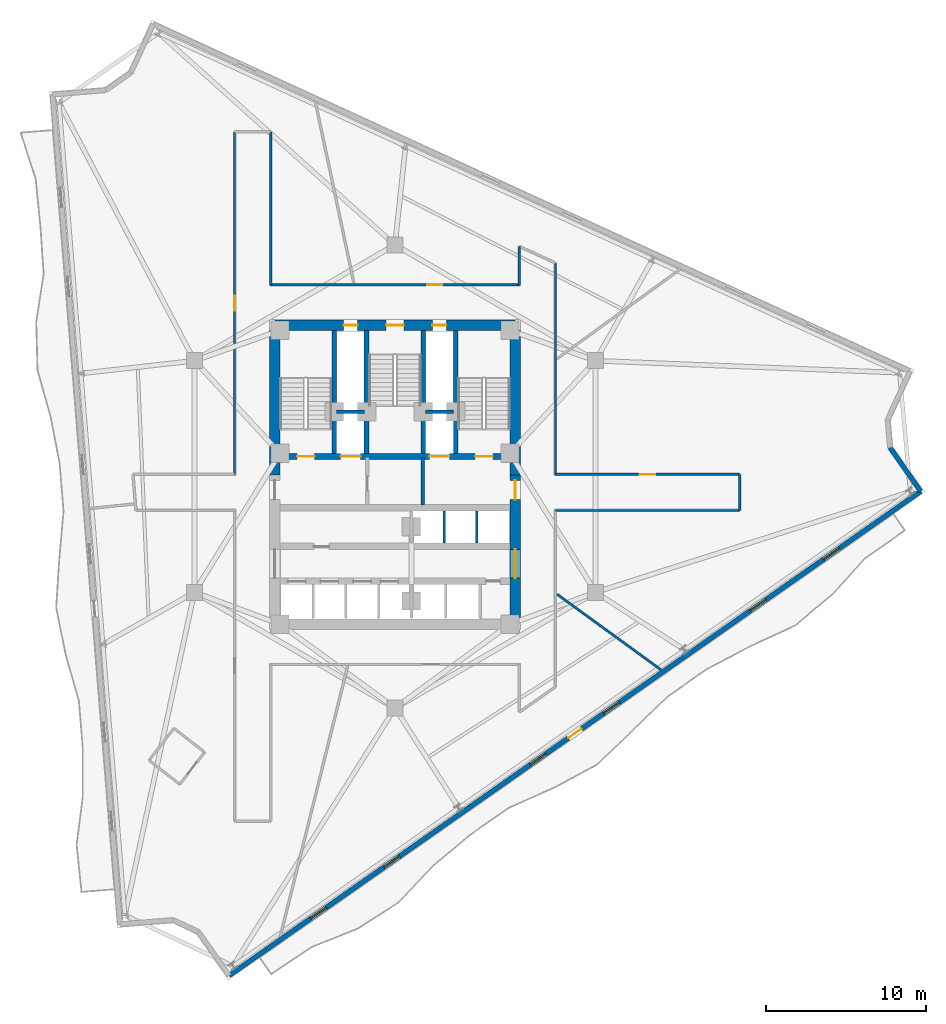
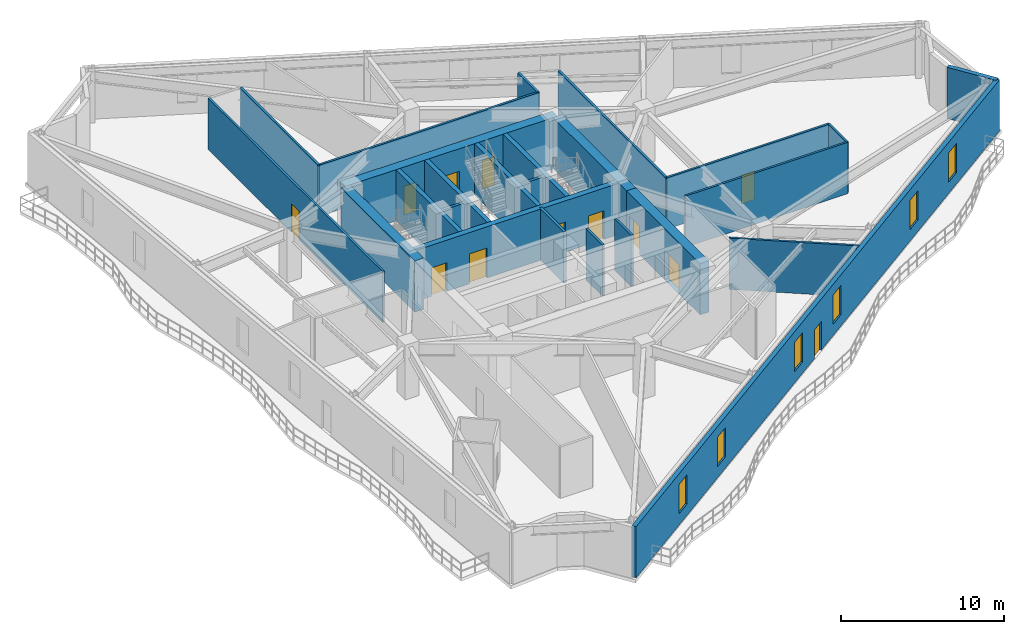
# One storey, part 6 of 10: 25 walls, 13 doors, 6 windows, 19 openings.
"""IFC4 building model written with IfcOpenShell, lengths in metres."""

from ifc_helpers import new_model, si_unit, direction, frame, frame_2d, origin, place, context, subcontext, project, spatial, rectangle, extrude, material, layer, layer_set, type_object, element, fill, save


model = new_model("IFC4")

# Units and contexts
model_context = context("Model", 3, precision=1e-05, world=origin(), true_north=direction((0.0, 1.0)))
body_context = subcontext(model_context, "Body", "Model", "MODEL_VIEW")
ifc_project = project(units=[si_unit("LENGTHUNIT", "METRE"), si_unit("AREAUNIT", "SQUARE_METRE"), si_unit("VOLUMEUNIT", "CUBIC_METRE"), si_unit("PLANEANGLEUNIT", "RADIAN"), si_unit("MASSUNIT", "GRAM", prefix="KILO")], contexts=[model_context])

# Site, building, storey
site_placement = place(None, origin())
site = spatial("IfcSite", under=ifc_project, at=site_placement, CompositionType="ELEMENT")
building_placement = place(site_placement, origin())
building = spatial("IfcBuilding", under=site, at=building_placement, Name="Apsidion Concourse Tower", CompositionType="ELEMENT")
storey_placement = place(building_placement, frame((0.0, 0.0, 218.800048828125)))
storey = spatial("IfcBuildingStorey", under=building, at=storey_placement, Name="L51", CompositionType="ELEMENT", Elevation=218.800048828125)

# Wall
ifc_material_1 = material(Name="Precast concrete C40/50", Category="concrete")
ifc_layer_1 = layer(ifc_material_1, 0.300048828125)
ifc_layer_set_1 = layer_set([ifc_layer_1], Name="Precast concrete C40/50")
wall_type_1 = type_object("IfcWallType", Name="WL-EXT-300", PredefinedType="STANDARD", material=ifc_layer_set_1)
wall_1_placement = place(storey_placement, frame((30.99951171875, 1.809814453125, 0.0), z_axis=(0.0, 0.0, 1.0), x_axis=(0.573550493689, -0.819170208925, 0.0)))
element("IfcWall", 1, at=wall_1_placement, inside=storey, type_object=wall_type_1, Name="L51 Precast Stone Facade Wall 04", PredefinedType="STANDARD", context=body_context, shape_type="SweptSolid", body=[
    extrude(rectangle(XDim=3.345703125, YDim=0.300048828125, at=frame_2d((1.6728515625, 0.0))), origin(), (0.0, 0.0, 1.0), 3.849853515625),
])

# Wall, openings, door, windows
wall_2_placement = place(storey_placement, frame((32.91845703125, -0.930908203125, 0.0), z_axis=(0.0, 0.0, 1.0), x_axis=(-0.819151415939, -0.573577333727, 0.0)))
wall_2 = element("IfcWall", 2, at=wall_2_placement, inside=storey, type_object=wall_type_1, Name="L51 Precast Stone Facade Wall 05", PredefinedType="STANDARD", context=body_context, shape_type="SweptSolid", body=[
    extrude(rectangle(XDim=52.862548828125, YDim=0.300048828125, at=frame_2d((26.43115234375, 0.0))), origin(), (0.0, 0.0, 1.0), 3.849853515625),
])
opening_1_placement = place(wall_2_placement, frame((25.931396484375, 0.0, 0.0)))
opening_1 = element("IfcOpeningElement", 3, at=opening_1_placement, cuts=wall_2, Name="Opening D-T1L", PredefinedType="OPENING", context=body_context, shape_type="SweptSolid", body=[
    extrude(rectangle(XDim=1.0, YDim=2.14990234375, at=frame_2d((0.5, 1.074951171875))), frame((0.0, 0.16015625, 0.0), z_axis=(0.0, -1.0, 0.0), x_axis=(1.0, 0.0, 0.0)), (0.0, 0.0, 1.0), 0.320068359375),
])
opening_2_placement = place(wall_2_placement, frame((6.231201171875, 0.0, 0.85009765625)))
opening_2 = element("IfcOpeningElement", 4, at=opening_2_placement, cuts=wall_2, Name="Opening WN-06", PredefinedType="OPENING", context=body_context, shape_type="SweptSolid", body=[
    extrude(rectangle(XDim=1.199951171875, YDim=2.199951171875, at=frame_2d((0.60009765625, 1.10009765625))), frame((0.0, 0.16015625, 0.0), z_axis=(0.0, -1.0, 0.0), x_axis=(1.0, 0.0, 0.0)), (0.0, 0.0, 1.0), 0.320068359375),
])
opening_3_placement = place(wall_2_placement, frame((11.831298828125, 0.0, 0.85009765625)))
opening_3 = element("IfcOpeningElement", 5, at=opening_3_placement, cuts=wall_2, Name="Opening WN-06", PredefinedType="OPENING", context=body_context, shape_type="SweptSolid", body=[
    extrude(rectangle(XDim=1.199951171875, YDim=2.199951171875, at=frame_2d((0.60009765625, 1.10009765625))), frame((0.0, 0.16015625, 0.0), z_axis=(0.0, -1.0, 0.0), x_axis=(1.0, 0.0, 0.0)), (0.0, 0.0, 1.0), 0.320068359375),
])
opening_4_placement = place(wall_2_placement, frame((23.03125, 0.0, 0.85009765625)))
opening_4 = element("IfcOpeningElement", 6, at=opening_4_placement, cuts=wall_2, Name="Opening WN-06", PredefinedType="OPENING", context=body_context, shape_type="SweptSolid", body=[
    extrude(rectangle(XDim=1.199951171875, YDim=2.199951171875, at=frame_2d((0.60009765625, 1.10009765625))), frame((0.0, 0.16015625, 0.0), z_axis=(0.0, -1.0, 0.0), x_axis=(1.0, 0.0, 0.0)), (0.0, 0.0, 1.0), 0.320068359375),
])
opening_5_placement = place(wall_2_placement, frame((28.63134765625, 0.0, 0.85009765625)))
opening_5 = element("IfcOpeningElement", 7, at=opening_5_placement, cuts=wall_2, Name="Opening WN-06", PredefinedType="OPENING", context=body_context, shape_type="SweptSolid", body=[
    extrude(rectangle(XDim=1.199951171875, YDim=2.199951171875, at=frame_2d((0.60009765625, 1.10009765625))), frame((0.0, 0.16015625, 0.0), z_axis=(0.0, -1.0, 0.0), x_axis=(1.0, 0.0, 0.0)), (0.0, 0.0, 1.0), 0.320068359375),
])
opening_6_placement = place(wall_2_placement, frame((39.831298828125, 0.0, 0.85009765625)))
opening_6 = element("IfcOpeningElement", 8, at=opening_6_placement, cuts=wall_2, Name="Opening WN-06", PredefinedType="OPENING", context=body_context, shape_type="SweptSolid", body=[
    extrude(rectangle(XDim=1.199951171875, YDim=2.199951171875, at=frame_2d((0.60009765625, 1.10009765625))), frame((0.0, 0.16015625, 0.0), z_axis=(0.0, -1.0, 0.0), x_axis=(1.0, 0.0, 0.0)), (0.0, 0.0, 1.0), 0.320068359375),
])
opening_7_placement = place(wall_2_placement, frame((45.431396484375, 0.0, 0.85009765625)))
opening_7 = element("IfcOpeningElement", 9, at=opening_7_placement, cuts=wall_2, Name="Opening WN-06", PredefinedType="OPENING", context=body_context, shape_type="SweptSolid", body=[
    extrude(rectangle(XDim=1.199951171875, YDim=2.199951171875, at=frame_2d((0.60009765625, 1.10009765625))), frame((0.0, 0.16015625, 0.0), z_axis=(0.0, -1.0, 0.0), x_axis=(1.0, 0.0, 0.0)), (0.0, 0.0, 1.0), 0.320068359375),
])
ifc_material_2 = material(Name="Anodised aluminium EN AW-6063 T6", Category="aluminium")
door_type_1 = type_object("IfcDoorType", Name="DR-TER-1022L", OperationType="SINGLE_SWING_LEFT", PredefinedType="DOOR", material=ifc_material_2)
door_1_placement = place(opening_1_placement, origin())
door_1 = element("IfcDoor", 10, at=door_1_placement, inside=storey, type_object=door_type_1, Name="L51 Balcony Access Door 2", OperationType="SINGLE_SWING_LEFT", OverallHeight=2.14990234375, OverallWidth=1.0, PredefinedType="DOOR", context=body_context, shape_type="SweptSolid", body=[
    extrude(rectangle(XDim=1.0, YDim=2.14990234375, at=frame_2d((0.5, 1.074951171875))), frame((0.0, 0.02490234375, 0.0), z_axis=(0.0, -1.0, 0.0), x_axis=(1.0, 0.0, 0.0)), (0.0, 0.0, 1.0), 0.050048828125),
])
fill(opening_1, door_1)
ifc_material_3 = material(Name="Insulated laminated low-E glass", Category="glass")
window_type = type_object("IfcWindowType", Name="WN-OFF-1224", PartitioningType="SINGLE_PANEL", PredefinedType="WINDOW", material=ifc_material_3)
window_1_placement = place(opening_2_placement, origin())
window_1 = element("IfcWindow", 11, at=window_1_placement, inside=storey, type_object=window_type, Name="L51 Punched Facade Window 5-01", OverallHeight=2.199951171875, OverallWidth=1.199951171875, PartitioningType="SINGLE_PANEL", PredefinedType="WINDOW", context=body_context, shape_type="SweptSolid", body=[
    extrude(rectangle(XDim=1.199951171875, YDim=2.199951171875, at=frame_2d((0.60009765625, 1.10009765625))), frame((0.0, 0.030029296875, 0.0), z_axis=(0.0, -1.0, 0.0), x_axis=(1.0, 0.0, 0.0)), (0.0, 0.0, 1.0), 0.06005859375),
])
fill(opening_2, window_1)
window_2_placement = place(opening_3_placement, origin())
window_2 = element("IfcWindow", 12, at=window_2_placement, inside=storey, type_object=window_type, Name="L51 Punched Facade Window 5-02", OverallHeight=2.199951171875, OverallWidth=1.199951171875, PartitioningType="SINGLE_PANEL", PredefinedType="WINDOW", context=body_context, shape_type="SweptSolid", body=[
    extrude(rectangle(XDim=1.199951171875, YDim=2.199951171875, at=frame_2d((0.60009765625, 1.10009765625))), frame((0.0, 0.030029296875, 0.0), z_axis=(0.0, -1.0, 0.0), x_axis=(1.0, 0.0, 0.0)), (0.0, 0.0, 1.0), 0.06005859375),
])
fill(opening_3, window_2)
window_3_placement = place(opening_4_placement, origin())
window_3 = element("IfcWindow", 13, at=window_3_placement, inside=storey, type_object=window_type, Name="L51 Punched Facade Window 5-04", OverallHeight=2.199951171875, OverallWidth=1.199951171875, PartitioningType="SINGLE_PANEL", PredefinedType="WINDOW", context=body_context, shape_type="SweptSolid", body=[
    extrude(rectangle(XDim=1.199951171875, YDim=2.199951171875, at=frame_2d((0.60009765625, 1.10009765625))), frame((0.0, 0.030029296875, 0.0), z_axis=(0.0, -1.0, 0.0), x_axis=(1.0, 0.0, 0.0)), (0.0, 0.0, 1.0), 0.06005859375),
])
fill(opening_4, window_3)
window_4_placement = place(opening_5_placement, origin())
window_4 = element("IfcWindow", 14, at=window_4_placement, inside=storey, type_object=window_type, Name="L51 Punched Facade Window 5-05", OverallHeight=2.199951171875, OverallWidth=1.199951171875, PartitioningType="SINGLE_PANEL", PredefinedType="WINDOW", context=body_context, shape_type="SweptSolid", body=[
    extrude(rectangle(XDim=1.199951171875, YDim=2.199951171875, at=frame_2d((0.60009765625, 1.10009765625))), frame((0.0, 0.030029296875, 0.0), z_axis=(0.0, -1.0, 0.0), x_axis=(1.0, 0.0, 0.0)), (0.0, 0.0, 1.0), 0.06005859375),
])
fill(opening_5, window_4)
window_5_placement = place(opening_6_placement, origin())
window_5 = element("IfcWindow", 15, at=window_5_placement, inside=storey, type_object=window_type, Name="L51 Punched Facade Window 5-07", OverallHeight=2.199951171875, OverallWidth=1.199951171875, PartitioningType="SINGLE_PANEL", PredefinedType="WINDOW", context=body_context, shape_type="SweptSolid", body=[
    extrude(rectangle(XDim=1.199951171875, YDim=2.199951171875, at=frame_2d((0.60009765625, 1.10009765625))), frame((0.0, 0.030029296875, 0.0), z_axis=(0.0, -1.0, 0.0), x_axis=(1.0, 0.0, 0.0)), (0.0, 0.0, 1.0), 0.06005859375),
])
fill(opening_6, window_5)
window_6_placement = place(opening_7_placement, origin())
window_6 = element("IfcWindow", 16, at=window_6_placement, inside=storey, type_object=window_type, Name="L51 Punched Facade Window 5-08", OverallHeight=2.199951171875, OverallWidth=1.199951171875, PartitioningType="SINGLE_PANEL", PredefinedType="WINDOW", context=body_context, shape_type="SweptSolid", body=[
    extrude(rectangle(XDim=1.199951171875, YDim=2.199951171875, at=frame_2d((0.60009765625, 1.10009765625))), frame((0.0, 0.030029296875, 0.0), z_axis=(0.0, -1.0, 0.0), x_axis=(1.0, 0.0, 0.0)), (0.0, 0.0, 1.0), 0.06005859375),
])
fill(opening_7, window_6)

# Walls
ifc_material_4 = material(Name="Gypsum plasterboard partition")
ifc_layer_2 = layer(ifc_material_4, 0.14990234375)
ifc_layer_set_2 = layer_set([ifc_layer_2], Name="Gypsum plasterboard partition")
wall_type_2 = type_object("IfcWallType", Name="WL-INT-PAR-150", PredefinedType="PARTITIONING", material=ifc_layer_set_2)
for number, where, z_axis, x_axis, name in (
    (17, (3.074951171875, -4.179931640625, 0.0), (0.0, 0.0, 1.0), (0.0, 1.0, 0.0), "L51 Interior Partition WL-L51-B3DIV-1"),
    (18, (5.125, -4.179931640625, 0.0), (0.0, 0.0, 1.0), (0.0, 1.0, 0.0), "L51 Interior Partition WL-L51-B3DIV-2"),
):
    element("IfcWall", number, at=place(storey_placement, frame(where, z_axis=z_axis, x_axis=x_axis)), inside=storey, type_object=wall_type_2, Name=name, PredefinedType="PARTITIONING", context=body_context, shape_type="SweptSolid", body=[
        extrude(rectangle(XDim=2.030029296875, YDim=0.14990234375, at=frame_2d((1.01513671875, 0.0))), origin(), (0.0, 0.0, 1.0), 3.849853515625),
    ])

# Wall, opening, door
wall_3_placement = place(storey_placement, frame((-10.050048828125, 0.1298828125, 0.0), z_axis=(0.0, 0.0, 1.0), x_axis=(0.0, 1.0, 0.0)))
wall_3 = element("IfcWall", 19, at=wall_3_placement, inside=storey, type_object=wall_type_2, Name="L51 Interior Partition WL-L51-CORR-10", PredefinedType="PARTITIONING", context=body_context, shape_type="SweptSolid", body=[
    extrude(rectangle(XDim=21.4501953125, YDim=0.14990234375, at=frame_2d((10.72509765625, 0.0))), origin(), (0.0, 0.0, 1.0), 3.849853515625),
])
opening_8_placement = place(wall_3_placement, frame((10.25, 0.0, 0.0)))
opening_8 = element("IfcOpeningElement", 20, at=opening_8_placement, cuts=wall_3, Name="Opening D-01L", PredefinedType="OPENING", context=body_context, shape_type="SweptSolid", body=[
    extrude(rectangle(XDim=0.949951171875, YDim=2.14990234375, at=frame_2d((0.47509765625, 1.074951171875))), frame((0.0, 0.0849609375, 0.0), z_axis=(0.0, -1.0, 0.0), x_axis=(1.0, 0.0, 0.0)), (0.0, 0.0, 1.0), 0.169921875),
])
ifc_material_5 = material(Name="Brushed stainless steel 316", Category="steel")
door_type_2 = type_object("IfcDoorType", Name="DR-INT-D01L", OperationType="SINGLE_SWING_LEFT", PredefinedType="DOOR", material=ifc_material_5)
door_2_placement = place(opening_8_placement, origin())
door_2 = element("IfcDoor", 21, at=door_2_placement, inside=storey, type_object=door_type_2, Name="L51 Corridor Entry Door 05", OperationType="SINGLE_SWING_LEFT", OverallHeight=2.14990234375, OverallWidth=0.949951171875, PredefinedType="DOOR", context=body_context, shape_type="SweptSolid", body=[
    extrude(rectangle(XDim=0.949951171875, YDim=2.14990234375, at=frame_2d((0.47509765625, 1.074951171875))), frame((0.0, 0.02490234375, 0.0), z_axis=(0.0, -1.0, 0.0), x_axis=(1.0, 0.0, 0.0)), (0.0, 0.0, 1.0), 0.050048828125),
])
fill(opening_8, door_2)

# Wall
wall_4_placement = place(storey_placement, frame((-7.7900390625, 21.580078125, 0.0), z_axis=(0.0, 0.0, 1.0), x_axis=(0.0, -1.0, 0.0)))
element("IfcWall", 22, at=wall_4_placement, inside=storey, type_object=wall_type_2, Name="L51 Interior Partition WL-L51-CORR-12", PredefinedType="PARTITIONING", context=body_context, shape_type="SweptSolid", body=[
    extrude(rectangle(XDim=9.580078125, YDim=0.14990234375, at=frame_2d((4.7900390625, 0.0))), origin(), (0.0, 0.0, 1.0), 3.849853515625),
])

# Wall, opening, door
wall_5_placement = place(storey_placement, frame((-7.7900390625, 12.0, 0.0), z_axis=(0.0, 0.0, 1.0), x_axis=(1.0, 0.0, 0.0)))
wall_5 = element("IfcWall", 23, at=wall_5_placement, inside=storey, type_object=wall_type_2, Name="L51 Interior Partition WL-L51-CORR-13", PredefinedType="PARTITIONING", context=body_context, shape_type="SweptSolid", body=[
    extrude(rectangle(XDim=15.580078125, YDim=0.14990234375, at=frame_2d((7.7900390625, 0.0))), origin(), (0.0, 0.0, 1.0), 3.849853515625),
])
opening_9_placement = place(wall_5_placement, frame((9.800048828125, 0.0, 0.0)))
opening_9 = element("IfcOpeningElement", 24, at=opening_9_placement, cuts=wall_5, Name="Opening D-01R", PredefinedType="OPENING", context=body_context, shape_type="SweptSolid", body=[
    extrude(rectangle(XDim=0.949951171875, YDim=2.14990234375, at=frame_2d((0.47509765625, 1.074951171875))), frame((0.0, 0.0849609375, 0.0), z_axis=(0.0, -1.0, 0.0), x_axis=(1.0, 0.0, 0.0)), (0.0, 0.0, 1.0), 0.169921875),
])
door_type_3 = type_object("IfcDoorType", Name="DR-INT-D01R", OperationType="SINGLE_SWING_RIGHT", PredefinedType="DOOR", material=ifc_material_5)
door_3_placement = place(opening_9_placement, origin())
door_3 = element("IfcDoor", 25, at=door_3_placement, inside=storey, type_object=door_type_3, Name="L51 Corridor Entry Door 04", OperationType="SINGLE_SWING_RIGHT", OverallHeight=2.14990234375, OverallWidth=0.949951171875, PredefinedType="DOOR", context=body_context, shape_type="SweptSolid", body=[
    extrude(rectangle(XDim=0.949951171875, YDim=2.14990234375, at=frame_2d((0.47509765625, 1.074951171875))), frame((0.0, 0.02490234375, 0.0), z_axis=(0.0, -1.0, 0.0), x_axis=(1.0, 0.0, 0.0)), (0.0, 0.0, 1.0), 0.050048828125),
])
fill(opening_9, door_3)

# Walls
wall_6_placement = place(storey_placement, frame((7.7900390625, 12.0, 0.0), z_axis=(0.0, 0.0, 1.0), x_axis=(0.0, 1.0, 0.0)))
element("IfcWall", 26, at=wall_6_placement, inside=storey, type_object=wall_type_2, Name="L51 Interior Partition WL-L51-CORR-14", PredefinedType="PARTITIONING", context=body_context, shape_type="SweptSolid", body=[
    extrude(rectangle(XDim=2.40771484375, YDim=0.14990234375, at=frame_2d((1.203857421875, 0.0))), origin(), (0.0, 0.0, 1.0), 3.849853515625),
])
wall_7_placement = place(storey_placement, frame((10.050048828125, 13.370849609375, 0.0), z_axis=(0.0, 0.0, 1.0), x_axis=(0.0, -1.0, 0.0)))
element("IfcWall", 27, at=wall_7_placement, inside=storey, type_object=wall_type_2, Name="L51 Interior Partition WL-L51-CORR-16", PredefinedType="PARTITIONING", context=body_context, shape_type="SweptSolid", body=[
    extrude(rectangle(XDim=13.240966796875, YDim=0.14990234375, at=frame_2d((6.62060546875, 0.0))), origin(), (0.0, 0.0, 1.0), 3.849853515625),
])

# Wall, opening, door
wall_8_placement = place(storey_placement, frame((10.050048828125, 0.1298828125, 0.0), z_axis=(0.0, 0.0, 1.0), x_axis=(1.0, 0.0, 0.0)))
wall_8 = element("IfcWall", 28, at=wall_8_placement, inside=storey, type_object=wall_type_2, Name="L51 Interior Partition WL-L51-CORR-17", PredefinedType="PARTITIONING", context=body_context, shape_type="SweptSolid", body=[
    extrude(rectangle(XDim=11.530029296875, YDim=0.14990234375, at=frame_2d((5.76513671875, 0.0))), origin(), (0.0, 0.0, 1.0), 3.849853515625),
])
opening_10_placement = place(wall_8_placement, frame((5.2900390625, 0.0, 0.0)))
opening_10 = element("IfcOpeningElement", 29, at=opening_10_placement, cuts=wall_8, Name="Opening D-01L", PredefinedType="OPENING", context=body_context, shape_type="SweptSolid", body=[
    extrude(rectangle(XDim=0.949951171875, YDim=2.14990234375, at=frame_2d((0.47509765625, 1.074951171875))), frame((0.0, 0.0849609375, 0.0), z_axis=(0.0, -1.0, 0.0), x_axis=(1.0, 0.0, 0.0)), (0.0, 0.0, 1.0), 0.169921875),
])
door_4_placement = place(opening_10_placement, origin())
door_4 = element("IfcDoor", 30, at=door_4_placement, inside=storey, type_object=door_type_2, Name="L51 Corridor Entry Door 03", OperationType="SINGLE_SWING_LEFT", OverallHeight=2.14990234375, OverallWidth=0.949951171875, PredefinedType="DOOR", context=body_context, shape_type="SweptSolid", body=[
    extrude(rectangle(XDim=0.949951171875, YDim=2.14990234375, at=frame_2d((0.47509765625, 1.074951171875))), frame((0.0, 0.02490234375, 0.0), z_axis=(0.0, -1.0, 0.0), x_axis=(1.0, 0.0, 0.0)), (0.0, 0.0, 1.0), 0.050048828125),
])
fill(opening_10, door_4)

# Walls
wall_9_placement = place(storey_placement, frame((21.580078125, 0.1298828125, 0.0), z_axis=(0.0, 0.0, 1.0), x_axis=(0.0, -1.0, 0.0)))
element("IfcWall", 31, at=wall_9_placement, inside=storey, type_object=wall_type_2, Name="L51 Interior Partition WL-L51-CORR-18", PredefinedType="PARTITIONING", context=body_context, shape_type="SweptSolid", body=[
    extrude(rectangle(XDim=2.259765625, YDim=0.14990234375, at=frame_2d((1.1298828125, 0.0))), origin(), (0.0, 0.0, 1.0), 3.849853515625),
])
wall_10_placement = place(storey_placement, frame((21.580078125, -2.1298828125, 0.0), z_axis=(0.0, 0.0, 1.0), x_axis=(-1.0, 0.0, 0.0)))
element("IfcWall", 32, at=wall_10_placement, inside=storey, type_object=wall_type_2, Name="L51 Interior Partition WL-L51-CORR-19", PredefinedType="PARTITIONING", context=body_context, shape_type="SweptSolid", body=[
    extrude(rectangle(XDim=11.530029296875, YDim=0.14990234375, at=frame_2d((5.76513671875, 0.0))), origin(), (0.0, 0.0, 1.0), 3.849853515625),
])
wall_11_placement = place(storey_placement, frame((10.155029296875, -7.3779296875, 0.0), z_axis=(0.0, 0.0, 1.0), x_axis=(0.809021931729, -0.587778456548, 0.0)))
element("IfcWall", 33, at=wall_11_placement, inside=storey, type_object=wall_type_2, Name="L51 Interior Partition WL-L51-RAD-05-1", PredefinedType="PARTITIONING", context=body_context, shape_type="SweptSolid", body=[
    extrude(rectangle(XDim=8.048828125, YDim=0.14990234375, at=frame_2d((4.0244140625, 0.0))), origin(), (0.0, 0.0, 1.0), 3.849853515625),
])
ifc_layer_3 = layer(ifc_material_4, 0.199951171875)
ifc_layer_set_3 = layer_set([ifc_layer_3], Name="Gypsum plasterboard partition")
wall_type_3 = type_object("IfcWallType", Name="WL-INT-PAR-200", PredefinedType="PARTITIONING", material=ifc_layer_set_3)
for number, where, z_axis, x_axis, name in (
    (34, (-3.64990234375, 4.050048828125, 0.0), (0.0, 0.0, 1.0), (1.0, 0.0, 0.0), "L51 Interior Partition WL-L51-FF1-N"),
    (35, (1.919921875, 4.050048828125, 0.0), (0.0, 0.0, 1.0), (1.0, 0.0, 0.0), "L51 Interior Partition WL-L51-FF2-N"),
):
    element("IfcWall", number, at=place(storey_placement, frame(where, z_axis=z_axis, x_axis=x_axis)), inside=storey, type_object=wall_type_3, Name=name, PredefinedType="PARTITIONING", context=body_context, shape_type="SweptSolid", body=[
        extrude(rectangle(XDim=1.72998046875, YDim=0.199951171875, at=frame_2d((0.864990234375, 0.0))), origin(), (0.0, 0.0, 1.0), 3.849853515625),
    ])
wall_12_placement = place(storey_placement, frame((1.739990234375, -1.780029296875, 0.0), z_axis=(0.0, 0.0, 1.0), x_axis=(0.0, 1.0, 0.0)))
element("IfcWall", 36, at=wall_12_placement, inside=storey, type_object=wall_type_3, Name="L51 Interior Partition WL-L51-FF2-W", PredefinedType="PARTITIONING", context=body_context, shape_type="SweptSolid", body=[
    extrude(rectangle(XDim=2.97998046875, YDim=0.199951171875, at=frame_2d((1.489990234375, 0.0))), origin(), (0.0, 0.0, 1.0), 3.849853515625),
])
ifc_material_6 = material(Name="Concrete C50/60", Category="concrete")
ifc_layer_4 = layer(ifc_material_6, 0.300048828125)
ifc_layer_set_4 = layer_set([ifc_layer_4], Name="Concrete C50/60")
wall_type_4 = type_object("IfcWallType", Name="WL-SH-300", PredefinedType="SHEAR", material=ifc_layer_set_4)
for number, where, z_axis, x_axis, name in (
    (37, (-3.800048828125, 1.449951171875, 0.0), (0.0, 0.0, 1.0), (0.0, 1.0, 0.0), "L51 Central Core Shear Wall V1"),
    (38, (-1.77490234375, 1.449951171875, 0.0), (0.0, 0.0, 1.0), (0.0, 1.0, 0.0), "L51 Central Core Shear Wall V2"),
    (39, (1.77490234375, 1.449951171875, 0.0), (0.0, 0.0, 1.0), (0.0, 1.0, 0.0), "L51 Central Core Shear Wall V3"),
    (40, (3.800048828125, 1.449951171875, 0.0), (0.0, 0.0, 1.0), (0.0, 1.0, 0.0), "L51 Central Core Shear Wall V4"),
):
    element("IfcWall", number, at=place(storey_placement, frame(where, z_axis=z_axis, x_axis=x_axis)), inside=storey, type_object=wall_type_4, Name=name, PredefinedType="SHEAR", context=body_context, shape_type="SweptSolid", body=[
        extrude(rectangle(XDim=7.699951171875, YDim=0.300048828125, at=frame_2d((3.85009765625, 0.0))), origin(), (0.0, 0.0, 1.0), 3.849853515625),
    ])

# Wall, openings, doors
ifc_layer_5 = layer(ifc_material_6, 0.39990234375)
ifc_layer_set_5 = layer_set([ifc_layer_5], Name="Concrete C50/60")
wall_type_5 = type_object("IfcWallType", Name="WL-SH-400", PredefinedType="SHEAR", material=ifc_layer_set_5)
wall_13_placement = place(storey_placement, frame((-7.199951171875, 1.25, 0.0), z_axis=(0.0, 0.0, 1.0), x_axis=(1.0, 0.0, 0.0)))
wall_13 = element("IfcWall", 41, at=wall_13_placement, inside=storey, type_object=wall_type_5, Name="L51 Central Core Shear Wall M1", PredefinedType="SHEAR", context=body_context, shape_type="SweptSolid", body=[
    extrude(rectangle(XDim=14.39990234375, YDim=0.39990234375, at=frame_2d((7.199951171875, 0.0))), origin(), (0.0, 0.0, 1.0), 3.849853515625),
])
opening_11_placement = place(wall_13_placement, frame((3.794921875, 0.0, 0.0)))
opening_11 = element("IfcOpeningElement", 42, at=opening_11_placement, cuts=wall_13, Name="Opening LD-FF", PredefinedType="OPENING", context=body_context, shape_type="SweptSolid", body=[
    extrude(rectangle(XDim=1.25, YDim=2.25, at=frame_2d((0.625, 1.125))), frame((0.0, 0.2099609375, 0.0), z_axis=(0.0, -1.0, 0.0), x_axis=(1.0, 0.0, 0.0)), (0.0, 0.0, 1.0), 0.419921875),
])
opening_12_placement = place(wall_13_placement, frame((9.35498046875, 0.0, 0.0)))
opening_12 = element("IfcOpeningElement", 43, at=opening_12_placement, cuts=wall_13, Name="Opening LD-FF", PredefinedType="OPENING", context=body_context, shape_type="SweptSolid", body=[
    extrude(rectangle(XDim=1.25, YDim=2.25, at=frame_2d((0.625, 1.125))), frame((0.0, 0.2099609375, 0.0), z_axis=(0.0, -1.0, 0.0), x_axis=(1.0, 0.0, 0.0)), (0.0, 0.0, 1.0), 0.419921875),
])
opening_13_placement = place(wall_13_placement, frame((1.074951171875, 0.0, 0.0)))
opening_13 = element("IfcOpeningElement", 44, at=opening_13_placement, cuts=wall_13, Name="Opening D-STL", PredefinedType="OPENING", context=body_context, shape_type="SweptSolid", body=[
    extrude(rectangle(XDim=1.10009765625, YDim=2.14990234375, at=frame_2d((0.550048828125, 1.074951171875))), frame((0.0, 0.2099609375, 0.0), z_axis=(0.0, -1.0, 0.0), x_axis=(1.0, 0.0, 0.0)), (0.0, 0.0, 1.0), 0.419921875),
])
opening_14_placement = place(wall_13_placement, frame((12.22509765625, 0.0, 0.0)))
opening_14 = element("IfcOpeningElement", 45, at=opening_14_placement, cuts=wall_13, Name="Opening D-STR", PredefinedType="OPENING", context=body_context, shape_type="SweptSolid", body=[
    extrude(rectangle(XDim=1.10009765625, YDim=2.14990234375, at=frame_2d((0.550048828125, 1.074951171875))), frame((0.0, 0.2099609375, 0.0), z_axis=(0.0, -1.0, 0.0), x_axis=(1.0, 0.0, 0.0)), (0.0, 0.0, 1.0), 0.419921875),
])
door_type_4 = type_object("IfcDoorType", Name="DR-INT-ST1L", OperationType="SINGLE_SWING_LEFT", PredefinedType="DOOR", material=ifc_material_5)
door_5_placement = place(opening_13_placement, origin())
door_5 = element("IfcDoor", 46, at=door_5_placement, inside=storey, type_object=door_type_4, Name="L51 Core Exit Stair ST1 Door", OperationType="SINGLE_SWING_LEFT", OverallHeight=2.14990234375, OverallWidth=1.10009765625, PredefinedType="DOOR", context=body_context, shape_type="SweptSolid", body=[
    extrude(rectangle(XDim=1.10009765625, YDim=2.14990234375, at=frame_2d((0.550048828125, 1.074951171875))), frame((0.0, 0.02490234375, 0.0), z_axis=(0.0, -1.0, 0.0), x_axis=(1.0, 0.0, 0.0)), (0.0, 0.0, 1.0), 0.050048828125),
])
fill(opening_13, door_5)
door_type_5 = type_object("IfcDoorType", Name="DR-INT-ST1R", OperationType="SINGLE_SWING_RIGHT", PredefinedType="DOOR", material=ifc_material_5)
door_6_placement = place(opening_14_placement, origin())
door_6 = element("IfcDoor", 47, at=door_6_placement, inside=storey, type_object=door_type_5, Name="L51 Core Exit Stair ST2 Door", OperationType="SINGLE_SWING_RIGHT", OverallHeight=2.14990234375, OverallWidth=1.10009765625, PredefinedType="DOOR", context=body_context, shape_type="SweptSolid", body=[
    extrude(rectangle(XDim=1.10009765625, YDim=2.14990234375, at=frame_2d((0.550048828125, 1.074951171875))), frame((0.0, 0.02490234375, 0.0), z_axis=(0.0, -1.0, 0.0), x_axis=(1.0, 0.0, 0.0)), (0.0, 0.0, 1.0), 0.050048828125),
])
fill(opening_14, door_6)
door_type_6 = type_object("IfcDoorType", Name="DR-LD-FSAE", OperationType="DOUBLE_DOOR_SLIDING", PredefinedType="DOOR", material=ifc_material_5)
door_7_placement = place(opening_11_placement, origin())
door_7 = element("IfcDoor", 48, at=door_7_placement, inside=storey, type_object=door_type_6, Name="L51 Lift Landing Door FF1", OperationType="DOUBLE_DOOR_SLIDING", OverallHeight=2.25, OverallWidth=1.25, PredefinedType="DOOR", context=body_context, shape_type="SweptSolid", body=[
    extrude(rectangle(XDim=1.25, YDim=2.25, at=frame_2d((0.625, 1.125))), frame((0.0, 0.02490234375, 0.0), z_axis=(0.0, -1.0, 0.0), x_axis=(1.0, 0.0, 0.0)), (0.0, 0.0, 1.0), 0.050048828125),
])
fill(opening_11, door_7)
door_8_placement = place(opening_12_placement, origin())
door_8 = element("IfcDoor", 49, at=door_8_placement, inside=storey, type_object=door_type_6, Name="L51 Lift Landing Door FF2", OperationType="DOUBLE_DOOR_SLIDING", OverallHeight=2.25, OverallWidth=1.25, PredefinedType="DOOR", context=body_context, shape_type="SweptSolid", body=[
    extrude(rectangle(XDim=1.25, YDim=2.25, at=frame_2d((0.625, 1.125))), frame((0.0, 0.02490234375, 0.0), z_axis=(0.0, -1.0, 0.0), x_axis=(1.0, 0.0, 0.0)), (0.0, 0.0, 1.0), 0.050048828125),
])
fill(opening_12, door_8)

ifc_layer_6 = layer(ifc_material_6, 0.64990234375)
ifc_layer_set_6 = layer_set([ifc_layer_6], Name="Concrete C50/60")
wall_type_6 = type_object("IfcWallType", Name="WL-SH-650", PredefinedType="SHEAR", material=ifc_layer_set_6)
wall_14_placement = place(storey_placement, frame((-7.52490234375, 9.47509765625, 0.0), z_axis=(0.0, 0.0, 1.0), x_axis=(1.0, 0.0, 0.0)))
wall_14 = element("IfcWall", 50, at=wall_14_placement, inside=storey, type_object=wall_type_6, Name="L51 Central Core Shear Wall N", PredefinedType="SHEAR", context=body_context, shape_type="SweptSolid", body=[
    extrude(rectangle(XDim=15.0498046875, YDim=0.64990234375, at=frame_2d((7.52490234375, 0.0))), origin(), (0.0, 0.0, 1.0), 3.849853515625),
])
opening_15_placement = place(wall_14_placement, frame((6.97509765625, 0.0, 0.0)))
opening_15 = element("IfcOpeningElement", 51, at=opening_15_placement, cuts=wall_14, Name="Opening D-STL", PredefinedType="OPENING", context=body_context, shape_type="SweptSolid", body=[
    extrude(rectangle(XDim=1.10009765625, YDim=2.14990234375, at=frame_2d((0.550048828125, 1.074951171875))), frame((0.0, 0.3349609375, 0.0), z_axis=(0.0, -1.0, 0.0), x_axis=(1.0, 0.0, 0.0)), (0.0, 0.0, 1.0), 0.669921875),
])
opening_16_placement = place(wall_14_placement, frame((4.304931640625, 0.0, 0.0)))
opening_16 = element("IfcOpeningElement", 52, at=opening_16_placement, cuts=wall_14, Name="Opening D-05L", PredefinedType="OPENING", context=body_context, shape_type="SweptSolid", body=[
    extrude(rectangle(XDim=0.8798828125, YDim=2.14990234375, at=frame_2d((0.43994140625, 1.074951171875))), frame((0.0, 0.3349609375, 0.0), z_axis=(0.0, -1.0, 0.0), x_axis=(1.0, 0.0, 0.0)), (0.0, 0.0, 1.0), 0.669921875),
])
opening_17_placement = place(wall_14_placement, frame((9.864990234375, 0.0, 0.0)))
opening_17 = element("IfcOpeningElement", 53, at=opening_17_placement, cuts=wall_14, Name="Opening D-05R", PredefinedType="OPENING", context=body_context, shape_type="SweptSolid", body=[
    extrude(rectangle(XDim=0.8798828125, YDim=2.14990234375, at=frame_2d((0.43994140625, 1.074951171875))), frame((0.0, 0.3349609375, 0.0), z_axis=(0.0, -1.0, 0.0), x_axis=(1.0, 0.0, 0.0)), (0.0, 0.0, 1.0), 0.669921875),
])
door_type_7 = type_object("IfcDoorType", Name="DR-INT-D05L", OperationType="SINGLE_SWING_LEFT", PredefinedType="DOOR", material=ifc_material_5)
door_9_placement = place(opening_16_placement, origin())
door_9 = element("IfcDoor", 54, at=door_9_placement, inside=storey, type_object=door_type_7, Name="L51 Electrical Riser Shaft Access Door", OperationType="SINGLE_SWING_LEFT", OverallHeight=2.14990234375, OverallWidth=0.8798828125, PredefinedType="DOOR", context=body_context, shape_type="SweptSolid", body=[
    extrude(rectangle(XDim=0.8798828125, YDim=2.14990234375, at=frame_2d((0.43994140625, 1.074951171875))), frame((0.0, 0.02490234375, 0.0), z_axis=(0.0, -1.0, 0.0), x_axis=(1.0, 0.0, 0.0)), (0.0, 0.0, 1.0), 0.050048828125),
])
fill(opening_16, door_9)
door_type_8 = type_object("IfcDoorType", Name="DR-INT-D05R", OperationType="SINGLE_SWING_RIGHT", PredefinedType="DOOR", material=ifc_material_5)
door_10_placement = place(opening_17_placement, origin())
door_10 = element("IfcDoor", 55, at=door_10_placement, inside=storey, type_object=door_type_8, Name="L51 Mechanical Riser Shaft Access Door", OperationType="SINGLE_SWING_RIGHT", OverallHeight=2.14990234375, OverallWidth=0.8798828125, PredefinedType="DOOR", context=body_context, shape_type="SweptSolid", body=[
    extrude(rectangle(XDim=0.8798828125, YDim=2.14990234375, at=frame_2d((0.43994140625, 1.074951171875))), frame((0.0, 0.02490234375, 0.0), z_axis=(0.0, -1.0, 0.0), x_axis=(1.0, 0.0, 0.0)), (0.0, 0.0, 1.0), 0.050048828125),
])
fill(opening_17, door_10)
door_11_placement = place(opening_15_placement, origin())
door_11 = element("IfcDoor", 56, at=door_11_placement, inside=storey, type_object=door_type_4, Name="L51 Core Exit Stair ST3 Door", OperationType="SINGLE_SWING_LEFT", OverallHeight=2.14990234375, OverallWidth=1.10009765625, PredefinedType="DOOR", context=body_context, shape_type="SweptSolid", body=[
    extrude(rectangle(XDim=1.10009765625, YDim=2.14990234375, at=frame_2d((0.550048828125, 1.074951171875))), frame((0.0, 0.02490234375, 0.0), z_axis=(0.0, -1.0, 0.0), x_axis=(1.0, 0.0, 0.0)), (0.0, 0.0, 1.0), 0.050048828125),
])
fill(opening_15, door_11)

# Walls
for number, where, z_axis, x_axis, name in (
    (57, (-7.52490234375, 0.10009765625, 0.0), (0.0, 0.0, 1.0), (0.0, 1.0, 0.0), "L51 Central Core Shear Wall WN"),
    (58, (7.52490234375, 0.10009765625, 0.0), (0.0, 0.0, 1.0), (0.0, 1.0, 0.0), "L51 Central Core Shear Wall EN"),
):
    element("IfcWall", number, at=place(storey_placement, frame(where, z_axis=z_axis, x_axis=x_axis)), inside=storey, type_object=wall_type_6, Name=name, PredefinedType="SHEAR", context=body_context, shape_type="SweptSolid", body=[
        extrude(rectangle(XDim=9.0498046875, YDim=0.64990234375, at=frame_2d((4.52490234375, 0.0))), origin(), (0.0, 0.0, 1.0), 3.849853515625),
    ])

# Wall, openings, doors
wall_15_placement = place(storey_placement, frame((7.52490234375, -8.925048828125, 0.0), z_axis=(0.0, 0.0, 1.0), x_axis=(0.0, 1.0, 0.0)))
wall_15 = element("IfcWall", 59, at=wall_15_placement, inside=storey, type_object=wall_type_6, Name="L51 Central Core Shear Wall ES", PredefinedType="SHEAR", context=body_context, shape_type="SweptSolid", body=[
    extrude(rectangle(XDim=9.025146484375, YDim=0.64990234375, at=frame_2d((4.5126953125, 0.0))), origin(), (0.0, 0.0, 1.0), 3.849853515625),
])
opening_18_placement = place(wall_15_placement, frame((2.56494140625, 0.0, 0.0)))
opening_18 = element("IfcOpeningElement", 60, at=opening_18_placement, cuts=wall_15, Name="Opening D-06D", PredefinedType="OPENING", context=body_context, shape_type="SweptSolid", body=[
    extrude(rectangle(XDim=1.800048828125, YDim=2.199951171875, at=frame_2d((0.89990234375, 1.10009765625))), frame((0.0, 0.3349609375, 0.0), z_axis=(0.0, -1.0, 0.0), x_axis=(1.0, 0.0, 0.0)), (0.0, 0.0, 1.0), 0.669921875),
])
opening_19_placement = place(wall_15_placement, frame((7.47509765625, 0.0, 0.0)))
opening_19 = element("IfcOpeningElement", 61, at=opening_19_placement, cuts=wall_15, Name="Opening D-FFR", PredefinedType="OPENING", context=body_context, shape_type="SweptSolid", body=[
    extrude(rectangle(XDim=1.199951171875, YDim=2.14990234375, at=frame_2d((0.60009765625, 1.074951171875))), frame((0.0, 0.3349609375, 0.0), z_axis=(0.0, -1.0, 0.0), x_axis=(1.0, 0.0, 0.0)), (0.0, 0.0, 1.0), 0.669921875),
])
door_type_9 = type_object("IfcDoorType", Name="DR-INT-D06D", OperationType="DOUBLE_DOOR_SINGLE_SWING", PredefinedType="DOOR", material=ifc_material_5)
door_12_placement = place(opening_18_placement, origin())
door_12 = element("IfcDoor", 62, at=door_12_placement, inside=storey, type_object=door_type_9, Name="L51 Passenger Lift Lobby ES Portal Door", OperationType="DOUBLE_DOOR_SINGLE_SWING", OverallHeight=2.199951171875, OverallWidth=1.800048828125, PredefinedType="DOOR", context=body_context, shape_type="SweptSolid", body=[
    extrude(rectangle(XDim=1.800048828125, YDim=2.199951171875, at=frame_2d((0.89990234375, 1.10009765625))), frame((0.0, 0.02490234375, 0.0), z_axis=(0.0, -1.0, 0.0), x_axis=(1.0, 0.0, 0.0)), (0.0, 0.0, 1.0), 0.050048828125),
])
fill(opening_18, door_12)
door_type_10 = type_object("IfcDoorType", Name="DR-INT-FFR", OperationType="SINGLE_SWING_RIGHT", PredefinedType="DOOR", material=ifc_material_5)
door_13_placement = place(opening_19_placement, origin())
door_13 = element("IfcDoor", 63, at=door_13_placement, inside=storey, type_object=door_type_10, Name="L51 Firefighting Lift Lobby FF2 Door", OperationType="SINGLE_SWING_RIGHT", OverallHeight=2.14990234375, OverallWidth=1.199951171875, PredefinedType="DOOR", context=body_context, shape_type="SweptSolid", body=[
    extrude(rectangle(XDim=1.199951171875, YDim=2.14990234375, at=frame_2d((0.60009765625, 1.074951171875))), frame((0.0, 0.02490234375, 0.0), z_axis=(0.0, -1.0, 0.0), x_axis=(1.0, 0.0, 0.0)), (0.0, 0.0, 1.0), 0.050048828125),
])
fill(opening_19, door_13)

save(model, "model.ifc")
